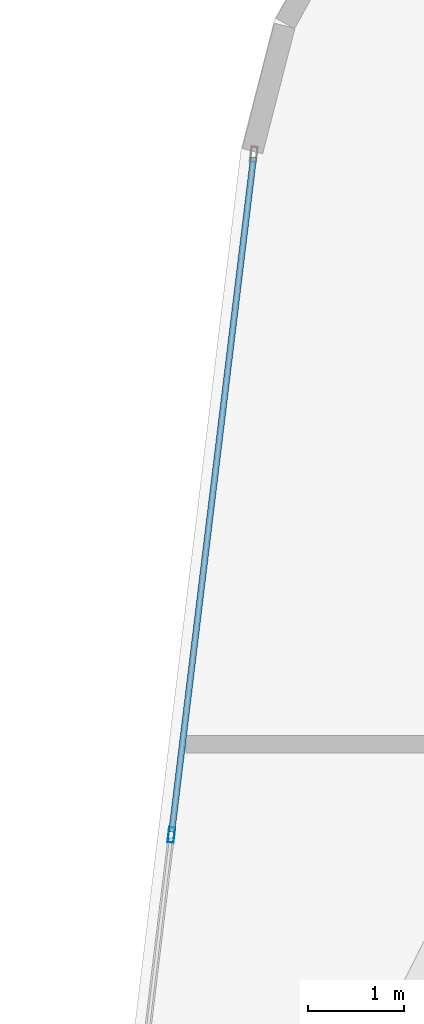
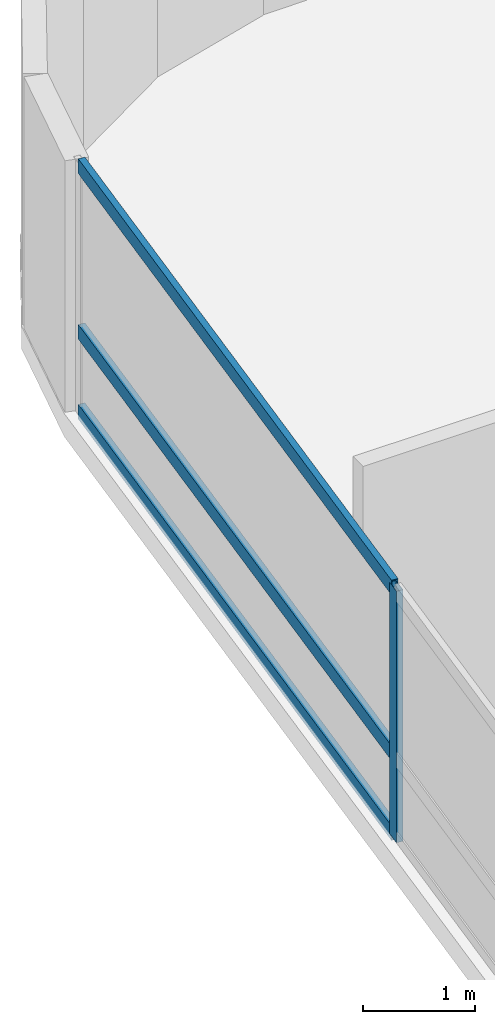
# One storey, part 10 of 25: 4 members, 1 element without a shape of its own.
"""IFC4 building model written with IfcOpenShell, lengths in metres."""

import ifcopenshell
import ifcopenshell.guid

model = None  # the IFC model being written
_history = None  # IfcOwnerHistory: only IFC2X3 demands one
_inside = {}  # id of a spatial element -> (the spatial element, [elements in it])
_under = {}  # id of a project, library or spatial element -> (it, [spatial elements below it])
_declared = {}  # id of a project -> (the project, [libraries it declares])
_typed = {}  # id of a type object -> (the type object, [elements of that type])
_made_of = {}  # id of a material, layer set ... -> (it, [elements and type objects made of it])


def new_model(schema):
    """Start an empty IFC model of exactly this schema.

    Asked for "IFC4X3", IfcOpenShell would pick the latest addendum, in which some entities
    have other attributes; the version numbers below select the first issue.
    IFC2X3 requires an IfcOwnerHistory on every rooted entity: one is made here for all.
    """
    global model, _history
    if schema == "IFC4X3":
        model = ifcopenshell.file(schema_version=(4, 3, 0, 0))
    else:
        model = ifcopenshell.file(schema=schema)
    _inside.clear()
    _under.clear()
    _declared.clear()
    _typed.clear()
    _made_of.clear()
    _history = None
    if model.schema == "IFC2X3":
        org = make("IfcOrganization", Name="unknown")
        user = make(
            "IfcPersonAndOrganization",
            ThePerson=make("IfcPerson", FamilyName="unknown"),
            TheOrganization=org,
        )
        app = make(
            "IfcApplication",
            ApplicationDeveloper=org,
            Version="unknown",
            ApplicationFullName="unknown",
            ApplicationIdentifier="unknown",
        )
        _history = make(
            "IfcOwnerHistory",
            OwningUser=user,
            OwningApplication=app,
            ChangeAction="ADDED",
            CreationDate=0,
        )
    return model


def make(cls, **values):
    """One entity of the class cls with the attributes given. An attribute that is None is left unset."""
    return model.create_entity(
        cls, **{name: value for name, value in values.items() if value is not None}
    )


def rooted(cls, **values):
    """An entity with a GlobalId (a new one), such as an element, a storey or a relation."""
    return make(cls, GlobalId=ifcopenshell.guid.new(), OwnerHistory=_history, **values)


def si_unit(unit_type, name, prefix=None):
    """IfcSIUnit, for example si_unit("LENGTHUNIT", "METRE", prefix="MILLI")."""
    return make("IfcSIUnit", UnitType=unit_type, Prefix=prefix, Name=name)


def assignment(units):
    """IfcUnitAssignment: the units of a project."""
    return None if units is None else make("IfcUnitAssignment", Units=units)


def point(xyz):
    """IfcCartesianPoint."""
    return None if xyz is None else make("IfcCartesianPoint", Coordinates=xyz)


def direction(xyz):
    """IfcDirection."""
    return None if xyz is None else make("IfcDirection", DirectionRatios=xyz)


def frame(location, z_axis=None, x_axis=None):
    """IfcAxis2Placement3D, a coordinate frame: its origin and axes. An axis left out is left unset."""
    return make(
        "IfcAxis2Placement3D",
        Location=point(location),
        Axis=direction(z_axis),
        RefDirection=direction(x_axis),
    )


def frame_2d(location, x_axis=None):
    """IfcAxis2Placement2D, a coordinate frame in the plane: its origin and x axis."""
    return make(
        "IfcAxis2Placement2D", Location=point(location), RefDirection=direction(x_axis)
    )


def origin():
    """The frame at (0, 0, 0) with its axes left unset."""
    return frame((0.0, 0.0, 0.0))


def origin_2d():
    """The frame at (0, 0) in the plane with its x axis left unset."""
    return frame_2d((0.0, 0.0))


def place(relative_to, where):
    """IfcLocalPlacement: puts the frame where relative to a parent placement (None: the world)."""
    return make(
        "IfcLocalPlacement", PlacementRelTo=relative_to, RelativePlacement=where
    )


def context(
    kind, dimensions, precision=None, world=None, true_north=None, identifier=None
):
    """IfcGeometricRepresentationContext, for example the 3D "Model" context."""
    return make(
        "IfcGeometricRepresentationContext",
        ContextIdentifier=identifier,
        ContextType=kind,
        CoordinateSpaceDimension=dimensions,
        Precision=precision,
        WorldCoordinateSystem=world,
        TrueNorth=true_north,
    )


def subcontext(parent, identifier, kind, view, scale=None):
    """IfcGeometricRepresentationSubContext, for example "Body" below "Model"."""
    return make(
        "IfcGeometricRepresentationSubContext",
        ContextIdentifier=identifier,
        ContextType=kind,
        ParentContext=parent,
        TargetScale=scale,
        TargetView=view,
    )


def project(units=None, contexts=None):
    """IfcProject with its units and contexts."""
    return rooted(
        "IfcProject",
        Name="project",
        RepresentationContexts=contexts,
        UnitsInContext=assignment(units),
    )


def spatial(cls, under=None, at=None, **own):
    """A site, building, storey or space (cls), placed at a placement, below another one or the project."""
    s = rooted(cls, ObjectPlacement=at, **own)
    if under is not None:
        _under.setdefault(under.id(), (under, []))[1].append(s)
    return s


def profile(cls, at=None, kind="AREA", **sizes):
    """A parametric profile (cls). Its sizes go by their IFC names, for example OverallWidth=200.0."""
    return make(cls, ProfileType=kind, Position=at, **sizes)


def hollow_rectangle(**sizes):
    """IfcRectangleHollowProfileDef."""
    return profile("IfcRectangleHollowProfileDef", **sizes)


def extrude(swept, where, along, depth):
    """IfcExtrudedAreaSolid: the profile swept, set in the frame where, extruded along a direction by depth."""
    return make(
        "IfcExtrudedAreaSolid",
        SweptArea=swept,
        Position=where,
        ExtrudedDirection=direction(along),
        Depth=depth,
    )


def shape(context_of_items, identifier, shape_type, items):
    """IfcShapeRepresentation: the items that make up one representation, for example the "Body"."""
    return make(
        "IfcShapeRepresentation",
        ContextOfItems=context_of_items,
        RepresentationIdentifier=identifier,
        RepresentationType=shape_type,
        Items=items,
    )


def material(Name=None, Category=None):
    """IfcMaterial."""
    return make("IfcMaterial", Name=Name, Category=Category)


def layer(
    of_material, thickness, ventilated=None, Name=None, Category=None, Priority=None
):
    """IfcMaterialLayer: one layer of a wall or slab, of a material (None: an air gap)."""
    return make(
        "IfcMaterialLayer",
        Material=of_material,
        LayerThickness=thickness,
        IsVentilated=ventilated,
        Name=Name,
        Category=Category,
        Priority=Priority,
    )


def layer_set(layers, Name=None):
    """IfcMaterialLayerSet."""
    return make("IfcMaterialLayerSet", MaterialLayers=layers, LayerSetName=Name)


def material_profile(
    of_material, cross_section, Name=None, Category=None, Priority=None
):
    """IfcMaterialProfile: a cross section and its material."""
    return make(
        "IfcMaterialProfile",
        Name=Name,
        Material=of_material,
        Profile=cross_section,
        Priority=Priority,
        Category=Category,
    )


def profile_set(profiles, Name=None, composite=None):
    """IfcMaterialProfileSet."""
    return make(
        "IfcMaterialProfileSet",
        Name=Name,
        MaterialProfiles=profiles,
        CompositeProfile=composite,
    )


def made_of(thing, what):
    """Note that an element or type object is made of a material, layer set ...; save() writes the relation."""
    if what is not None:
        _made_of.setdefault(what.id(), (what, []))[1].append(thing)
    return thing


def type_object(cls, material=None, **own):
    """A type object (cls), such as IfcWallType, which elements share."""
    return made_of(rooted(cls, **own), material)


def element(
    cls,
    number,
    at=None,
    inside=None,
    cuts=None,
    type_object=None,
    material=None,
    context=None,
    identifier="Body",
    shape_type=None,
    held_by="IfcProductDefinitionShape",
    body=None,
    shapes=None,
    **own,
):
    """One element of the class cls, such as IfcWall. Its Tag is "e" and its number.

    at: its placement. inside: the storey or other place that contains it. cuts: it is an
    opening in that element (IfcRelVoidsElement). A single representation is given by context,
    identifier, shape_type and body (its items); several are given by shapes. held_by: the class
    of the entity that holds the representations. save() writes the other relations.
    """
    e = rooted(cls, Tag="e%d" % number, ObjectPlacement=at, **own)
    if body is not None:
        shapes = [shape(context, identifier, shape_type, body)]
    if shapes is not None:
        e.Representation = make(held_by, Representations=shapes)
    if inside is not None:
        _inside.setdefault(inside.id(), (inside, []))[1].append(e)
    if cuts is not None:
        rooted(
            "IfcRelVoidsElement", RelatingBuildingElement=cuts, RelatedOpeningElement=e
        )
    if type_object is not None:
        _typed.setdefault(type_object.id(), (type_object, []))[1].append(e)
    return made_of(e, material)


def aggregate(whole, parts):
    """IfcRelAggregates: a whole, such as a stair, and the parts it consists of."""
    return rooted("IfcRelAggregates", RelatingObject=whole, RelatedObjects=parts)


def save(model, path):
    """Write the relations noted so far, then the file.

    IfcRelAggregates (storeys below a building ...), IfcRelContainedInSpatialStructure (elements
    in a storey), IfcRelDefinesByType, IfcRelAssociatesMaterial and IfcRelDeclares: one each for
    every whole, place, type object, material and project.
    """
    for whole, parts in _under.values():
        aggregate(whole, parts)
    for where, things in _inside.values():
        rooted(
            "IfcRelContainedInSpatialStructure",
            RelatedElements=things,
            RelatingStructure=where,
        )
    for kind, things in _typed.values():
        rooted("IfcRelDefinesByType", RelatedObjects=things, RelatingType=kind)
    for what, things in _made_of.values():
        rooted("IfcRelAssociatesMaterial", RelatedObjects=things, RelatingMaterial=what)
    for by, libraries in _declared.values():
        rooted("IfcRelDeclares", RelatingContext=by, RelatedDefinitions=libraries)
    model.write(path)


model = new_model("IFC4")

# Units and contexts
model_context = context("Model", 3, precision=1e-05, world=origin(), true_north=direction((0.0, 1.0)))
body_context = subcontext(model_context, "Body", "Model", "MODEL_VIEW")
ifc_project = project(units=[si_unit("LENGTHUNIT", "METRE"), si_unit("AREAUNIT", "SQUARE_METRE"), si_unit("VOLUMEUNIT", "CUBIC_METRE"), si_unit("PLANEANGLEUNIT", "RADIAN"), si_unit("MASSUNIT", "GRAM", prefix="KILO")], contexts=[model_context])

# Site, building, storey
site_placement = place(None, origin())
site = spatial("IfcSite", under=ifc_project, at=site_placement, CompositionType="ELEMENT")
building_placement = place(site_placement, origin())
building = spatial("IfcBuilding", under=site, at=building_placement, Name="Varnelok Gate Tower", CompositionType="ELEMENT")
storey_placement = place(building_placement, frame((0.0, 0.0, 132.800048828125)))
storey = spatial("IfcBuildingStorey", under=building, at=storey_placement, Name="L33", CompositionType="ELEMENT", Elevation=132.800048828125)

# Curtain wall, members
ifc_material = material(Name="Anodized Aluminum Alloy 6063-T6", Category="aluminium")
ifc_layer = layer(ifc_material, 0.179931640625)
ifc_layer_set = layer_set([ifc_layer], Name="Anodized Aluminum Alloy 6063-T6")
curtain_wall_type = type_object("IfcCurtainWallType", Name="CW3-HOTEL-VISION", PredefinedType="USERDEFINED", material=ifc_layer_set)
curtain_wall_placement = place(storey_placement, origin())
curtain_wall = element("IfcCurtainWall", 1, at=curtain_wall_placement, inside=storey, type_object=curtain_wall_type, Name="L33 West End Vision Curtain Wall", ObjectType="UNITISED CURTAIN WALL", PredefinedType="USERDEFINED")
ifc_material_profile_1 = material_profile(ifc_material, hollow_rectangle(XDim=0.06494140625, YDim=0.159912109375, WallThickness=0.00390625, at=origin_2d()), Name="ALU160X65X4")
ifc_profile_set_1 = profile_set([ifc_material_profile_1], Name="Anodized Aluminum Alloy 6063-T6")
member_type_1 = type_object("IfcMemberType", Name="CW-MULL-160", PredefinedType="MULLION", material=ifc_profile_set_1)
member_1_placement = place(storey_placement, frame((3.708984375, 40.4814453125, 0.0), z_axis=(0.0, 0.0, 1.0), x_axis=(-0.99273188146, 0.120347046212, 0.0)))
member_1 = element("IfcMember", 2, at=member_1_placement, type_object=member_type_1, Name="CW3 mullion 5", PredefinedType="MULLION", context=body_context, shape_type="SweptSolid", body=[
    extrude(hollow_rectangle(XDim=0.06494140625, YDim=0.159912109375, WallThickness=0.00390625, at=origin_2d()), origin(), (0.0, 0.0, 1.0), 2.72998046875),
])
ifc_material_profile_2 = material_profile(ifc_material, hollow_rectangle(XDim=0.06494140625, YDim=0.159912109375, WallThickness=0.00390625, at=origin_2d()), Name="ALU160X65X4")
ifc_profile_set_2 = profile_set([ifc_material_profile_2], Name="Anodized Aluminum Alloy 6063-T6")
member_type_2 = type_object("IfcMemberType", Name="CW-TRAN-160", PredefinedType="USERDEFINED", material=ifc_profile_set_2)
member_2_placement = place(storey_placement, frame((3.712890625, 40.513671875, 0.032470703125), z_axis=(0.120374481497, 0.992728555147, 0.0), x_axis=(-0.992728555147, 0.120374481497, 0.0)))
member_2 = element("IfcMember", 3, at=member_2_placement, type_object=member_type_2, Name="CW3 transom 5.1", ObjectType="TRANSOM", PredefinedType="USERDEFINED", context=body_context, shape_type="SweptSolid", body=[
    extrude(hollow_rectangle(XDim=0.06494140625, YDim=0.159912109375, WallThickness=0.00390625, at=origin_2d()), origin(), (0.0, 0.0, 1.0), 7.102783203125),
])
member_3_placement = place(storey_placement, frame((3.712890625, 40.513671875, 0.89990234375), z_axis=(0.120374481497, 0.992728555147, 0.0), x_axis=(-0.992728555147, 0.120374481497, 0.0)))
member_3 = element("IfcMember", 4, at=member_3_placement, type_object=member_type_2, Name="CW3 transom 5.2", ObjectType="TRANSOM", PredefinedType="USERDEFINED", context=body_context, shape_type="SweptSolid", body=[
    extrude(hollow_rectangle(XDim=0.06494140625, YDim=0.159912109375, WallThickness=0.00390625, at=origin_2d()), origin(), (0.0, 0.0, 1.0), 7.102783203125),
])
member_4_placement = place(storey_placement, frame((3.712890625, 40.513671875, 2.697509765625), z_axis=(0.120374481497, 0.992728555147, 0.0), x_axis=(-0.992728555147, 0.120374481497, 0.0)))
member_4 = element("IfcMember", 5, at=member_4_placement, type_object=member_type_2, Name="CW3 transom 5.3", ObjectType="TRANSOM", PredefinedType="USERDEFINED", context=body_context, shape_type="SweptSolid", body=[
    extrude(hollow_rectangle(XDim=0.06494140625, YDim=0.159912109375, WallThickness=0.00390625, at=origin_2d()), origin(), (0.0, 0.0, 1.0), 7.102783203125),
])
aggregate(curtain_wall, [member_1, member_2, member_3, member_4])

save(model, "model.ifc")
